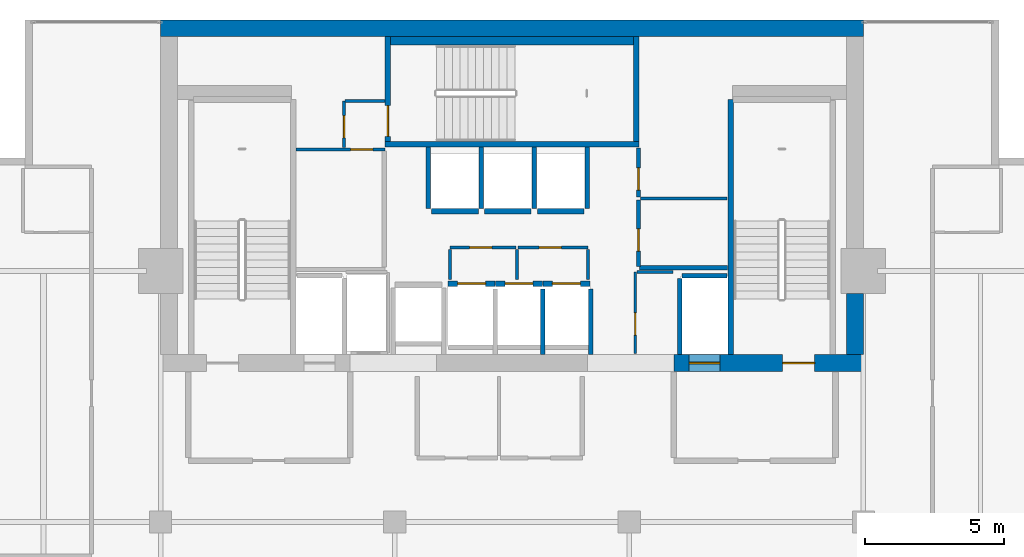
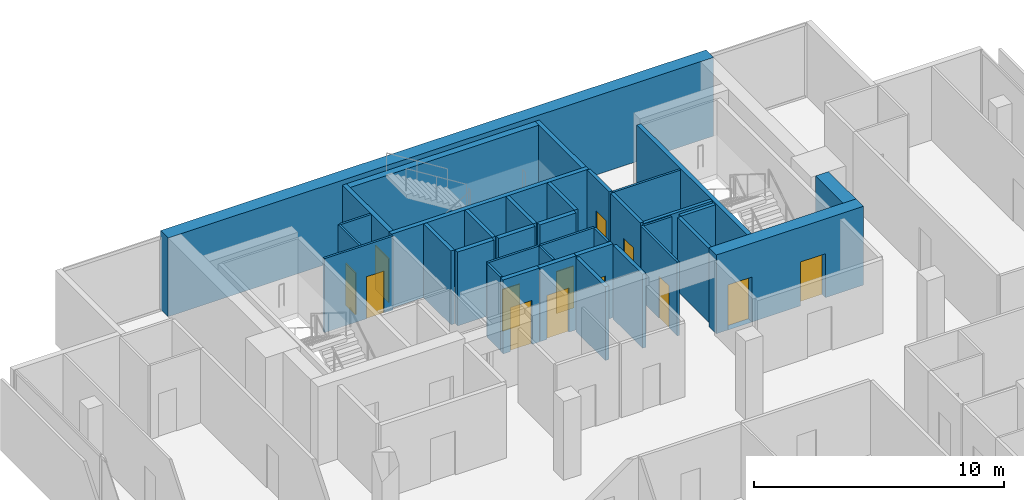
# One storey, part 22 of 25: 36 walls, 13 doors, 13 openings.
"""IFC4 building model written with IfcOpenShell, lengths in metres."""

from ifc_helpers import new_model, si_unit, direction, frame, frame_2d, origin, place, context, subcontext, project, spatial, rectangle, extrude, material, layer, layer_set, type_object, element, fill, save


model = new_model("IFC4")

# Units and contexts
model_context = context("Model", 3, precision=1e-05, world=origin(), true_north=direction((0.0, 1.0)))
body_context = subcontext(model_context, "Body", "Model", "MODEL_VIEW")
ifc_project = project(units=[si_unit("LENGTHUNIT", "METRE"), si_unit("AREAUNIT", "SQUARE_METRE"), si_unit("VOLUMEUNIT", "CUBIC_METRE"), si_unit("PLANEANGLEUNIT", "RADIAN"), si_unit("MASSUNIT", "GRAM", prefix="KILO")], contexts=[model_context])

# Site, building, storey
site_placement = place(None, origin())
site = spatial("IfcSite", under=ifc_project, at=site_placement, CompositionType="ELEMENT")
building_placement = place(site_placement, origin())
building = spatial("IfcBuilding", under=site, at=building_placement, Name="Maruvema Waterfront Hotel and Observation Tower", CompositionType="ELEMENT")
storey_placement = place(building_placement, frame((0.0, 0.0, 277.89990234375)))
storey = spatial("IfcBuildingStorey", under=building, at=storey_placement, Name="L68", CompositionType="ELEMENT", Elevation=277.89990234375)

# Wall, opening, door
ifc_material_1 = material(Name="Twin-stud acoustic gypsum drywall", Category="gypsum")
ifc_layer_1 = layer(ifc_material_1, 0.14990234375, Name="Acoustic Corridor and Suite Demising Wall 150 mm")
ifc_layer_set_1 = layer_set([ifc_layer_1], Name="Twin-stud acoustic gypsum drywall")
wall_type_1 = type_object("IfcWallType", Name="Acoustic Corridor and Suite Demising Wall 150 mm", PredefinedType="PARTITIONING", material=ifc_layer_set_1)
wall_1_placement = place(storey_placement, frame((42.340087890625, 45.159912109375, 0.0), z_axis=(0.0, 0.0, 1.0), x_axis=(0.0, 1.0, 0.0)))
wall_1 = element("IfcWall", 1, at=wall_1_placement, inside=storey, type_object=wall_type_1, Name="L68 Freed B2 West S 022", PredefinedType="PARTITIONING", context=body_context, shape_type="SweptSolid", body=[
    extrude(rectangle(XDim=2.380126953125, YDim=0.14990234375, at=frame_2d((1.18994140625, 0.0))), origin(), (0.0, 0.0, 1.0), 3.610107421875),
])
opening_1_placement = place(wall_1_placement, frame((0.550048828125, 0.0, 0.0)))
opening_1 = element("IfcOpeningElement", 2, at=opening_1_placement, cuts=wall_1, Name="Opening DR-080", PredefinedType="OPENING", context=body_context, shape_type="SweptSolid", body=[
    extrude(rectangle(XDim=0.800048828125, YDim=2.050048828125, at=frame_2d((0.39990234375, 1.02490234375))), frame((0.0, 0.0849609375, 0.0), z_axis=(0.0, -1.0, 0.0), x_axis=(1.0, 0.0, 0.0)), (0.0, 0.0, 1.0), 0.169921875),
])
ifc_material_2 = material(Name="Powder-coated steel access leaf", Category="steel")
door_type_1 = type_object("IfcDoorType", Name="Riser and Service Cupboard Door 800x2050 mm", OperationType="NOTDEFINED", PredefinedType="DOOR", material=ifc_material_2)
door_1_placement = place(opening_1_placement, frame((0.800048828125, 0.0, 0.0), z_axis=(0.0, 0.0, 1.0), x_axis=(-1.0, 0.0, 0.0)))
door_1 = element("IfcDoor", 3, at=door_1_placement, inside=storey, type_object=door_type_1, Name="L68 Butler Service Pantry Door", OperationType="SINGLE_SWING_LEFT", OverallHeight=2.050048828125, OverallWidth=0.800048828125, PredefinedType="DOOR", context=body_context, shape_type="SweptSolid", body=[
    extrude(rectangle(XDim=0.800048828125, YDim=2.050048828125, at=frame_2d((0.39990234375, 1.02490234375))), frame((0.0, 0.02490234375, 0.0), z_axis=(0.0, -1.0, 0.0), x_axis=(1.0, 0.0, 0.0)), (0.0, 0.0, 1.0), 0.050048828125),
])
fill(opening_1, door_1)

wall_2_placement = place(storey_placement, frame((42.340087890625, 47.659912109375, 0.0), z_axis=(0.0, 0.0, 1.0), x_axis=(0.0, 1.0, 0.0)))
wall_2 = element("IfcWall", 4, at=wall_2_placement, inside=storey, type_object=wall_type_1, Name="L68 Freed B2 West N 023", PredefinedType="PARTITIONING", context=body_context, shape_type="SweptSolid", body=[
    extrude(rectangle(XDim=1.760009765625, YDim=0.14990234375, at=frame_2d((0.8798828125, 0.0))), origin(), (0.0, 0.0, 1.0), 3.610107421875),
])
opening_2_placement = place(wall_2_placement, frame((0.239990234375, 0.0, 0.0)))
opening_2 = element("IfcOpeningElement", 5, at=opening_2_placement, cuts=wall_2, Name="Opening DR-080", PredefinedType="OPENING", context=body_context, shape_type="SweptSolid", body=[
    extrude(rectangle(XDim=0.800048828125, YDim=2.050048828125, at=frame_2d((0.39990234375, 1.02490234375))), frame((0.0, 0.0849609375, 0.0), z_axis=(0.0, -1.0, 0.0), x_axis=(1.0, 0.0, 0.0)), (0.0, 0.0, 1.0), 0.169921875),
])
door_2_placement = place(opening_2_placement, frame((0.800048828125, 0.0, 0.0), z_axis=(0.0, 0.0, 1.0), x_axis=(-1.0, 0.0, 0.0)))
door_2 = element("IfcDoor", 6, at=door_2_placement, inside=storey, type_object=door_type_1, Name="L68 Core IT and Linen Store Door", OperationType="SINGLE_SWING_RIGHT", OverallHeight=2.050048828125, OverallWidth=0.800048828125, PredefinedType="DOOR", context=body_context, shape_type="SweptSolid", body=[
    extrude(rectangle(XDim=0.800048828125, YDim=2.050048828125, at=frame_2d((0.39990234375, 1.02490234375))), frame((0.0, 0.02490234375, 0.0), z_axis=(0.0, -1.0, 0.0), x_axis=(1.0, 0.0, 0.0)), (0.0, 0.0, 1.0), 0.050048828125),
])
fill(opening_2, door_2)

# Walls
wall_3_placement = place(storey_placement, frame((42.3798828125, 45.1201171875, 0.0), z_axis=(0.0, 0.0, 1.0), x_axis=(1.0, 0.0, 0.0)))
element("IfcWall", 7, at=wall_3_placement, inside=storey, type_object=wall_type_1, Name="L68 Freed B2 South Wall 025", PredefinedType="PARTITIONING", context=body_context, shape_type="SweptSolid", body=[
    extrude(rectangle(XDim=3.14013671875, YDim=0.14990234375, at=frame_2d((1.570068359375, 0.0))), origin(), (0.0, 0.0, 1.0), 3.610107421875),
])
ifc_material_3 = material(Name="Precast concrete C45/55", Category="concrete")
ifc_layer_2 = layer(ifc_material_3, 0.300048828125, Name="Core Shaft Furring Wall 300 mm")
ifc_layer_set_2 = layer_set([ifc_layer_2], Name="Precast concrete C45/55")
wall_type_2 = type_object("IfcWallType", Name="Core Shaft Furring Wall 300 mm", PredefinedType="SOLIDWALL", material=ifc_layer_set_2)
wall_4_placement = place(storey_placement, frame((33.449951171875, 53.25, 0.0), z_axis=(0.0, 0.0, 1.0), x_axis=(1.0, 0.0, 0.0)))
element("IfcWall", 8, at=wall_4_placement, inside=storey, type_object=wall_type_2, Name="L68 Stairwell ST-02 North Furring Wall", PredefinedType="SOLIDWALL", context=body_context, shape_type="SweptSolid", body=[
    extrude(rectangle(XDim=8.699951171875, YDim=0.300048828125, at=frame_2d((4.35009765625, 0.0))), origin(), (0.0, 0.0, 1.0), 3.610107421875),
])
ifc_material_4 = material(Name="Precast concrete C45/55", Category="concrete")
ifc_layer_3 = layer(ifc_material_4, 0.199951171875, Name="Core Shaft and Stairwell Enclosure Wall 200 mm")
ifc_layer_set_3 = layer_set([ifc_layer_3], Name="Precast concrete C45/55")
wall_type_3 = type_object("IfcWallType", Name="Core Shaft and Stairwell Enclosure Wall 200 mm", PredefinedType="SOLIDWALL", material=ifc_layer_set_3)
wall_5_placement = place(storey_placement, frame((33.25, 49.550048828125, 0.0), z_axis=(0.0, 0.0, 1.0), x_axis=(1.0, 0.0, 0.0)))
element("IfcWall", 9, at=wall_5_placement, inside=storey, type_object=wall_type_3, Name="L68 Stairwell ST-02 Shaft Wall", PredefinedType="SOLIDWALL", context=body_context, shape_type="SweptSolid", body=[
    extrude(rectangle(XDim=9.10009765625, YDim=0.199951171875, at=frame_2d((4.550048828125, 0.0))), origin(), (0.0, 0.0, 1.0), 3.610107421875),
])
wall_6_placement = place(storey_placement, frame((42.25, 49.64990234375, 0.0), z_axis=(0.0, 0.0, 1.0), x_axis=(0.0, 1.0, 0.0)))
element("IfcWall", 10, at=wall_6_placement, inside=storey, type_object=wall_type_3, Name="L68 Stairwell ST-02 Shaft Wall", PredefinedType="SOLIDWALL", context=body_context, shape_type="SweptSolid", body=[
    extrude(rectangle(XDim=3.75, YDim=0.199951171875, at=frame_2d((1.875, 0.0))), origin(), (0.0, 0.0, 1.0), 3.610107421875),
])

# Wall, opening, door
wall_7_placement = place(storey_placement, frame((33.35009765625, 49.64990234375, 0.0), z_axis=(0.0, 0.0, 1.0), x_axis=(0.0, 1.0, 0.0)))
wall_7 = element("IfcWall", 11, at=wall_7_placement, inside=storey, type_object=wall_type_3, Name="L68 Stairwell ST-02 Shaft Wall", PredefinedType="SOLIDWALL", context=body_context, shape_type="SweptSolid", body=[
    extrude(rectangle(XDim=3.75, YDim=0.199951171875, at=frame_2d((1.875, 0.0))), origin(), (0.0, 0.0, 1.0), 3.610107421875),
])
opening_3_placement = place(wall_7_placement, frame((0.179931640625, 0.0, 0.0)))
opening_3 = element("IfcOpeningElement", 12, at=opening_3_placement, cuts=wall_7, Name="Opening SD-02", PredefinedType="OPENING", context=body_context, shape_type="SweptSolid", body=[
    extrude(rectangle(XDim=1.10009765625, YDim=2.14990234375, at=frame_2d((0.550048828125, 1.074951171875))), frame((0.0, 0.10986328125, 0.0), z_axis=(0.0, -1.0, 0.0), x_axis=(1.0, 0.0, 0.0)), (0.0, 0.0, 1.0), 0.219970703125),
])
ifc_material_5 = material(Name="Fire-rated galvanised steel leaf", Category="steel")
door_type_2 = type_object("IfcDoorType", Name="Central Exit Stair Fire Door 1100x2150 mm", OperationType="NOTDEFINED", PredefinedType="DOOR", material=ifc_material_5)
door_3_placement = place(opening_3_placement, frame((1.10009765625, 0.0, 0.0), z_axis=(0.0, 0.0, 1.0), x_axis=(-1.0, 0.0, 0.0)))
door_3 = element("IfcDoor", 13, at=door_3_placement, inside=storey, type_object=door_type_2, Name="L68 Exit Stair ST-02 Fire Door", OperationType="SINGLE_SWING_LEFT", OverallHeight=2.14990234375, OverallWidth=1.10009765625, PredefinedType="DOOR", context=body_context, shape_type="SweptSolid", body=[
    extrude(rectangle(XDim=1.10009765625, YDim=2.14990234375, at=frame_2d((0.550048828125, 1.074951171875))), frame((0.0, 0.02490234375, 0.0), z_axis=(0.0, -1.0, 0.0), x_axis=(1.0, 0.0, 0.0)), (0.0, 0.0, 1.0), 0.050048828125),
])
fill(opening_3, door_3)

# Wall
wall_8_placement = place(storey_placement, frame((45.64990234375, 42.0, 0.0), z_axis=(0.0, 0.0, 1.0), x_axis=(0.0, 1.0, 0.0)))
element("IfcWall", 14, at=wall_8_placement, inside=storey, type_object=wall_type_3, Name="L68 Stairwell ST-03 West Shaft Wall", PredefinedType="SOLIDWALL", context=body_context, shape_type="SweptSolid", body=[
    extrude(rectangle(XDim=9.14990234375, YDim=0.199951171875, at=frame_2d((4.574951171875, 0.0))), origin(), (0.0, 0.0, 1.0), 3.610107421875),
])

# Wall, opening, door
wall_9_placement = place(storey_placement, frame((35.510009765625, 44.550048828125, 0.0), z_axis=(0.0, 0.0, 1.0), x_axis=(1.0, 0.0, 0.0)))
wall_9 = element("IfcWall", 15, at=wall_9_placement, inside=storey, type_object=wall_type_3, Name="L68 Lift LF-09 Hoistway Front Wall", PredefinedType="SOLIDWALL", context=body_context, shape_type="SweptSolid", body=[
    extrude(rectangle(XDim=1.679931640625, YDim=0.199951171875, at=frame_2d((0.83984375, 0.0))), origin(), (0.0, 0.0, 1.0), 3.610107421875),
])
opening_4_placement = place(wall_9_placement, frame((0.340087890625, 0.0, 0.0)))
opening_4 = element("IfcOpeningElement", 16, at=opening_4_placement, cuts=wall_9, Name="Opening LD-01", PredefinedType="OPENING", context=body_context, shape_type="SweptSolid", body=[
    extrude(rectangle(XDim=1.0, YDim=2.14990234375, at=frame_2d((0.5, 1.074951171875))), frame((0.0, 0.10986328125, 0.0), z_axis=(0.0, -1.0, 0.0), x_axis=(1.0, 0.0, 0.0)), (0.0, 0.0, 1.0), 0.219970703125),
])
ifc_material_6 = material(Name="Brushed stainless steel Grade 316", Category="steel")
door_type_3 = type_object("IfcDoorType", Name="Passenger Lift Sliding Landing Door 1000x2150 mm", OperationType="SLIDING_TO_LEFT", PredefinedType="DOOR", material=ifc_material_6)
door_4_placement = place(opening_4_placement, origin())
door_4 = element("IfcDoor", 17, at=door_4_placement, inside=storey, type_object=door_type_3, Name="L68 Lift LF-09 Sliding Landing Door", OperationType="SLIDING_TO_LEFT", OverallHeight=2.14990234375, OverallWidth=1.0, PredefinedType="DOOR", context=body_context, shape_type="SweptSolid", body=[
    extrude(rectangle(XDim=1.0, YDim=2.14990234375, at=frame_2d((0.5, 1.074951171875))), frame((0.0, 0.02490234375, 0.0), z_axis=(0.0, -1.0, 0.0), x_axis=(1.0, 0.0, 0.0)), (0.0, 0.0, 1.0), 0.050048828125),
])
fill(opening_4, door_4)

wall_10_placement = place(storey_placement, frame((37.2099609375, 44.550048828125, 0.0), z_axis=(0.0, 0.0, 1.0), x_axis=(1.0, 0.0, 0.0)))
wall_10 = element("IfcWall", 18, at=wall_10_placement, inside=storey, type_object=wall_type_3, Name="L68 Lift LF-10 Hoistway Front Wall", PredefinedType="SOLIDWALL", context=body_context, shape_type="SweptSolid", body=[
    extrude(rectangle(XDim=1.679931640625, YDim=0.199951171875, at=frame_2d((0.83984375, 0.0))), origin(), (0.0, 0.0, 1.0), 3.610107421875),
])
opening_5_placement = place(wall_10_placement, frame((0.340087890625, 0.0, 0.0)))
opening_5 = element("IfcOpeningElement", 19, at=opening_5_placement, cuts=wall_10, Name="Opening LD-01", PredefinedType="OPENING", context=body_context, shape_type="SweptSolid", body=[
    extrude(rectangle(XDim=1.0, YDim=2.14990234375, at=frame_2d((0.5, 1.074951171875))), frame((0.0, 0.10986328125, 0.0), z_axis=(0.0, -1.0, 0.0), x_axis=(1.0, 0.0, 0.0)), (0.0, 0.0, 1.0), 0.219970703125),
])
door_5_placement = place(opening_5_placement, origin())
door_5 = element("IfcDoor", 20, at=door_5_placement, inside=storey, type_object=door_type_3, Name="L68 Lift LF-10 Sliding Landing Door", OperationType="SLIDING_TO_LEFT", OverallHeight=2.14990234375, OverallWidth=1.0, PredefinedType="DOOR", context=body_context, shape_type="SweptSolid", body=[
    extrude(rectangle(XDim=1.0, YDim=2.14990234375, at=frame_2d((0.5, 1.074951171875))), frame((0.0, 0.02490234375, 0.0), z_axis=(0.0, -1.0, 0.0), x_axis=(1.0, 0.0, 0.0)), (0.0, 0.0, 1.0), 0.050048828125),
])
fill(opening_5, door_5)

wall_11_placement = place(storey_placement, frame((38.909912109375, 44.550048828125, 0.0), z_axis=(0.0, 0.0, 1.0), x_axis=(1.0, 0.0, 0.0)))
wall_11 = element("IfcWall", 21, at=wall_11_placement, inside=storey, type_object=wall_type_3, Name="L68 Lift LF-11 Hoistway Front Wall", PredefinedType="SOLIDWALL", context=body_context, shape_type="SweptSolid", body=[
    extrude(rectangle(XDim=1.68017578125, YDim=0.199951171875, at=frame_2d((0.840087890625, 0.0))), origin(), (0.0, 0.0, 1.0), 3.610107421875),
])
opening_6_placement = place(wall_11_placement, frame((0.340087890625, 0.0, 0.0)))
opening_6 = element("IfcOpeningElement", 22, at=opening_6_placement, cuts=wall_11, Name="Opening LD-01", PredefinedType="OPENING", context=body_context, shape_type="SweptSolid", body=[
    extrude(rectangle(XDim=1.0, YDim=2.14990234375, at=frame_2d((0.5, 1.074951171875))), frame((0.0, 0.10986328125, 0.0), z_axis=(0.0, -1.0, 0.0), x_axis=(1.0, 0.0, 0.0)), (0.0, 0.0, 1.0), 0.219970703125),
])
door_6_placement = place(opening_6_placement, origin())
door_6 = element("IfcDoor", 23, at=door_6_placement, inside=storey, type_object=door_type_3, Name="L68 Lift LF-11 Sliding Landing Door", OperationType="SLIDING_TO_LEFT", OverallHeight=2.14990234375, OverallWidth=1.0, PredefinedType="DOOR", context=body_context, shape_type="SweptSolid", body=[
    extrude(rectangle(XDim=1.0, YDim=2.14990234375, at=frame_2d((0.5, 1.074951171875))), frame((0.0, 0.02490234375, 0.0), z_axis=(0.0, -1.0, 0.0), x_axis=(1.0, 0.0, 0.0)), (0.0, 0.0, 1.0), 0.050048828125),
])
fill(opening_6, door_6)

# Walls
wall_12_placement = place(storey_placement, frame((34.909912109375, 47.14990234375, 0.0), z_axis=(0.0, 0.0, 1.0), x_axis=(1.0, 0.0, 0.0)))
element("IfcWall", 24, at=wall_12_placement, inside=storey, type_object=wall_type_3, Name="L68 Lift LF-12 Hoistway Front Wall", PredefinedType="SOLIDWALL", context=body_context, shape_type="SweptSolid", body=[
    extrude(rectangle(XDim=1.68017578125, YDim=0.199951171875, at=frame_2d((0.840087890625, 0.0))), origin(), (0.0, 0.0, 1.0), 3.610107421875),
])
for number, where, z_axis, x_axis, name in (
    (25, (36.81005859375, 47.14990234375, 0.0), (0.0, 0.0, 1.0), (1.0, 0.0, 0.0), "L68 Lift LF-13 Hoistway Front Wall"),
    (26, (38.7099609375, 47.14990234375, 0.0), (0.0, 0.0, 1.0), (1.0, 0.0, 0.0), "L68 Lift LF-14 Hoistway Front Wall"),
):
    element("IfcWall", number, at=place(storey_placement, frame(where, z_axis=z_axis, x_axis=x_axis)), inside=storey, type_object=wall_type_3, Name=name, PredefinedType="SOLIDWALL", context=body_context, shape_type="SweptSolid", body=[
        extrude(rectangle(XDim=1.679931640625, YDim=0.199951171875, at=frame_2d((0.83984375, 0.0))), origin(), (0.0, 0.0, 1.0), 3.610107421875),
    ])
ifc_material_7 = material(Name="Concrete C60/75", Category="concrete")
ifc_layer_4 = layer(ifc_material_7, 0.60009765625, Name="Core Shear Wall 600 mm")
ifc_layer_set_4 = layer_set([ifc_layer_4], Name="Concrete C60/75")
wall_type_4 = type_object("IfcWallType", Name="Core Shear Wall 600 mm", PredefinedType="SHEAR", material=ifc_layer_set_4)
wall_13_placement = place(storey_placement, frame((25.199951171875, 53.699951171875, 0.0), z_axis=(0.0, 0.0, 1.0), x_axis=(1.0, 0.0, 0.0)))
element("IfcWall", 27, at=wall_13_placement, inside=storey, type_object=wall_type_4, Name="L68 North Core Shear Wall", PredefinedType="SHEAR", context=body_context, shape_type="SweptSolid", body=[
    extrude(rectangle(XDim=25.199951171875, YDim=0.60009765625, at=frame_2d((12.60009765625, 0.0))), origin(), (0.0, 0.0, 1.0), 3.85009765625),
])

# Wall, openings, doors
wall_14_placement = place(storey_placement, frame((43.60009765625, 41.699951171875, 0.0), z_axis=(0.0, 0.0, 1.0), x_axis=(1.0, 0.0, 0.0)))
wall_14 = element("IfcWall", 28, at=wall_14_placement, inside=storey, type_object=wall_type_4, Name="L68 South-East Core Shear Wall", PredefinedType="SHEAR", context=body_context, shape_type="SweptSolid", body=[
    extrude(rectangle(XDim=6.7998046875, YDim=0.60009765625, at=frame_2d((3.39990234375, 0.0))), origin(), (0.0, 0.0, 1.0), 3.85009765625),
])
opening_7_placement = place(wall_14_placement, frame((3.89990234375, 0.0, 0.0)))
opening_7 = element("IfcOpeningElement", 29, at=opening_7_placement, cuts=wall_14, Name="Opening SD-01", PredefinedType="OPENING", context=body_context, shape_type="SweptSolid", body=[
    extrude(rectangle(XDim=1.14990234375, YDim=2.14990234375, at=frame_2d((0.574951171875, 1.074951171875))), frame((0.0, 0.31005859375, 0.0), z_axis=(0.0, -1.0, 0.0), x_axis=(1.0, 0.0, 0.0)), (0.0, 0.0, 1.0), 0.6201171875),
])
opening_8_placement = place(wall_14_placement, frame((0.550048828125, 0.0, 0.0)))
opening_8 = element("IfcOpeningElement", 30, at=opening_8_placement, cuts=wall_14, Name="Opening LD-03", PredefinedType="OPENING", context=body_context, shape_type="SweptSolid", body=[
    extrude(rectangle(XDim=1.10009765625, YDim=2.199951171875, at=frame_2d((0.550048828125, 1.10009765625))), frame((0.0, 0.31005859375, 0.0), z_axis=(0.0, -1.0, 0.0), x_axis=(1.0, 0.0, 0.0)), (0.0, 0.0, 1.0), 0.6201171875),
])
ifc_material_8 = material(Name="Fire-rated galvanised steel leaf", Category="steel")
door_type_4 = type_object("IfcDoorType", Name="Exit Stair Fire Door 1150x2150 mm", OperationType="NOTDEFINED", PredefinedType="DOOR", material=ifc_material_8)
door_7_placement = place(opening_7_placement, origin())
door_7 = element("IfcDoor", 31, at=door_7_placement, inside=storey, type_object=door_type_4, Name="L68 Exit Stair ST-03 Fire Door", OperationType="SINGLE_SWING_RIGHT", OverallHeight=2.14990234375, OverallWidth=1.14990234375, PredefinedType="DOOR", context=body_context, shape_type="SweptSolid", body=[
    extrude(rectangle(XDim=1.14990234375, YDim=2.14990234375, at=frame_2d((0.574951171875, 1.074951171875))), frame((0.0, 0.02490234375, 0.0), z_axis=(0.0, -1.0, 0.0), x_axis=(1.0, 0.0, 0.0)), (0.0, 0.0, 1.0), 0.050048828125),
])
fill(opening_7, door_7)
ifc_material_9 = material(Name="Brushed stainless steel Grade 316", Category="steel")
door_type_5 = type_object("IfcDoorType", Name="Firefighting Lift Sliding Landing Door 1100x2200 mm", OperationType="SLIDING_TO_LEFT", PredefinedType="DOOR", material=ifc_material_9)
door_8_placement = place(opening_8_placement, frame((1.10009765625, 0.0, 0.0), z_axis=(0.0, 0.0, 1.0), x_axis=(-1.0, 0.0, 0.0)))
door_8 = element("IfcDoor", 32, at=door_8_placement, inside=storey, type_object=door_type_5, Name="L68 Firefighting Lift FL-02 Landing Door", OperationType="SLIDING_TO_LEFT", OverallHeight=2.199951171875, OverallWidth=1.10009765625, PredefinedType="DOOR", context=body_context, shape_type="SweptSolid", body=[
    extrude(rectangle(XDim=1.10009765625, YDim=2.199951171875, at=frame_2d((0.550048828125, 1.10009765625))), frame((0.0, 0.02490234375, 0.0), z_axis=(0.0, -1.0, 0.0), x_axis=(1.0, 0.0, 0.0)), (0.0, 0.0, 1.0), 0.050048828125),
])
fill(opening_8, door_8)

# Wall
wall_15_placement = place(storey_placement, frame((50.10009765625, 42.0, 0.0), z_axis=(0.0, 0.0, 1.0), x_axis=(0.0, 1.0, 0.0)))
element("IfcWall", 33, at=wall_15_placement, inside=storey, type_object=wall_type_4, Name="L68 East-South Core Shear Wall", PredefinedType="SHEAR", context=body_context, shape_type="SweptSolid", body=[
    extrude(rectangle(XDim=2.199951171875, YDim=0.60009765625, at=frame_2d((1.10009765625, 0.0))), origin(), (0.0, 0.0, 1.0), 3.85009765625),
])

# Wall, opening, door
ifc_material_10 = material(Name="Moisture-resistant cement-board drywall", Category="gypsum")
ifc_layer_5 = layer(ifc_material_10, 0.10009765625, Name="En-Suite Moisture-Resistant Partition 100 mm")
ifc_layer_set_5 = layer_set([ifc_layer_5], Name="Moisture-resistant cement-board drywall")
wall_type_5 = type_object("IfcWallType", Name="En-Suite Moisture-Resistant Partition 100 mm", PredefinedType="PARTITIONING", material=ifc_layer_set_5)
wall_16_placement = place(storey_placement, frame((35.580078125, 45.840087890625, 0.0), z_axis=(0.0, 0.0, 1.0), x_axis=(1.0, 0.0, 0.0)))
wall_16 = element("IfcWall", 34, at=wall_16_placement, inside=storey, type_object=wall_type_5, Name="L68 Core Closet K2A North 010", PredefinedType="PARTITIONING", context=body_context, shape_type="SweptSolid", body=[
    extrude(rectangle(XDim=2.35986328125, YDim=0.10009765625, at=frame_2d((1.179931640625, 0.0))), origin(), (0.0, 0.0, 1.0), 3.610107421875),
])
opening_9_placement = place(wall_16_placement, frame((0.699951171875, 0.0, 0.0)))
opening_9 = element("IfcOpeningElement", 35, at=opening_9_placement, cuts=wall_16, Name="Opening DR-080", PredefinedType="OPENING", context=body_context, shape_type="SweptSolid", body=[
    extrude(rectangle(XDim=0.800048828125, YDim=2.050048828125, at=frame_2d((0.39990234375, 1.02490234375))), frame((0.0, 0.06005859375, 0.0), z_axis=(0.0, -1.0, 0.0), x_axis=(1.0, 0.0, 0.0)), (0.0, 0.0, 1.0), 0.1201171875),
])
door_9_placement = place(opening_9_placement, origin())
door_9 = element("IfcDoor", 36, at=door_9_placement, inside=storey, type_object=door_type_1, Name="L68 Core IT Closet Door", OperationType="SINGLE_SWING_RIGHT", OverallHeight=2.050048828125, OverallWidth=0.800048828125, PredefinedType="DOOR", context=body_context, shape_type="SweptSolid", body=[
    extrude(rectangle(XDim=0.800048828125, YDim=2.050048828125, at=frame_2d((0.39990234375, 1.02490234375))), frame((0.0, 0.02490234375, 0.0), z_axis=(0.0, -1.0, 0.0), x_axis=(1.0, 0.0, 0.0)), (0.0, 0.0, 1.0), 0.050048828125),
])
fill(opening_9, door_9)

wall_17_placement = place(storey_placement, frame((38.02001953125, 45.840087890625, 0.0), z_axis=(0.0, 0.0, 1.0), x_axis=(1.0, 0.0, 0.0)))
wall_17 = element("IfcWall", 37, at=wall_17_placement, inside=storey, type_object=wall_type_5, Name="L68 Core Closet K2B North 011", PredefinedType="PARTITIONING", context=body_context, shape_type="SweptSolid", body=[
    extrude(rectangle(XDim=2.5, YDim=0.10009765625, at=frame_2d((1.25, 0.0))), origin(), (0.0, 0.0, 1.0), 3.610107421875),
])
opening_10_placement = place(wall_17_placement, frame((0.75, 0.0, 0.0)))
opening_10 = element("IfcOpeningElement", 38, at=opening_10_placement, cuts=wall_17, Name="Opening DR-080", PredefinedType="OPENING", context=body_context, shape_type="SweptSolid", body=[
    extrude(rectangle(XDim=0.800048828125, YDim=2.050048828125, at=frame_2d((0.39990234375, 1.02490234375))), frame((0.0, 0.06005859375, 0.0), z_axis=(0.0, -1.0, 0.0), x_axis=(1.0, 0.0, 0.0)), (0.0, 0.0, 1.0), 0.1201171875),
])
door_10_placement = place(opening_10_placement, origin())
door_10 = element("IfcDoor", 39, at=door_10_placement, inside=storey, type_object=door_type_1, Name="L68 Core Linen Cupboard Door", OperationType="SINGLE_SWING_LEFT", OverallHeight=2.050048828125, OverallWidth=0.800048828125, PredefinedType="DOOR", context=body_context, shape_type="SweptSolid", body=[
    extrude(rectangle(XDim=0.800048828125, YDim=2.050048828125, at=frame_2d((0.39990234375, 1.02490234375))), frame((0.0, 0.02490234375, 0.0), z_axis=(0.0, -1.0, 0.0), x_axis=(1.0, 0.0, 0.0)), (0.0, 0.0, 1.0), 0.050048828125),
])
fill(opening_10, door_10)

# Walls
for number, where, z_axis, x_axis, name in (
    (40, (35.580078125, 44.699951171875, 0.0), (0.0, 0.0, 1.0), (0.0, 1.0, 0.0), "L68 Core Closet K2 West 012"),
    (41, (37.97998046875, 44.699951171875, 0.0), (0.0, 0.0, 1.0), (0.0, 1.0, 0.0), "L68 Core Closet K2 Mid 013"),
    (42, (40.52001953125, 44.699951171875, 0.0), (0.0, 0.0, 1.0), (0.0, 1.0, 0.0), "L68 Core Closet K2 East 014"),
):
    element("IfcWall", number, at=place(storey_placement, frame(where, z_axis=z_axis, x_axis=x_axis)), inside=storey, type_object=wall_type_5, Name=name, PredefinedType="PARTITIONING", context=body_context, shape_type="SweptSolid", body=[
        extrude(rectangle(XDim=1.080078125, YDim=0.10009765625, at=frame_2d((0.5400390625, 0.0))), origin(), (0.0, 0.0, 1.0), 3.610107421875),
    ])

# Wall, opening, door
wall_18_placement = place(storey_placement, frame((42.219970703125, 42.050048828125, 0.0), z_axis=(0.0, 0.0, 1.0), x_axis=(0.0, 1.0, 0.0)))
wall_18 = element("IfcWall", 43, at=wall_18_placement, inside=storey, type_object=wall_type_5, Name="L68 Core Closet K2C West 015", PredefinedType="PARTITIONING", context=body_context, shape_type="SweptSolid", body=[
    extrude(rectangle(XDim=2.909912109375, YDim=0.10009765625, at=frame_2d((1.455078125, 0.0))), origin(), (0.0, 0.0, 1.0), 3.610107421875),
])
opening_11_placement = place(wall_18_placement, frame((0.64990234375, 0.0, 0.0)))
opening_11 = element("IfcOpeningElement", 44, at=opening_11_placement, cuts=wall_18, Name="Opening DR-080", PredefinedType="OPENING", context=body_context, shape_type="SweptSolid", body=[
    extrude(rectangle(XDim=0.800048828125, YDim=2.050048828125, at=frame_2d((0.39990234375, 1.02490234375))), frame((0.0, 0.06005859375, 0.0), z_axis=(0.0, -1.0, 0.0), x_axis=(1.0, 0.0, 0.0)), (0.0, 0.0, 1.0), 0.1201171875),
])
door_11_placement = place(opening_11_placement, frame((0.800048828125, 0.0, 0.0), z_axis=(0.0, 0.0, 1.0), x_axis=(-1.0, 0.0, 0.0)))
door_11 = element("IfcDoor", 45, at=door_11_placement, inside=storey, type_object=door_type_1, Name="L68 Core Housekeeping Closet Door", OperationType="SINGLE_SWING_RIGHT", OverallHeight=2.050048828125, OverallWidth=0.800048828125, PredefinedType="DOOR", context=body_context, shape_type="SweptSolid", body=[
    extrude(rectangle(XDim=0.800048828125, YDim=2.050048828125, at=frame_2d((0.39990234375, 1.02490234375))), frame((0.0, 0.02490234375, 0.0), z_axis=(0.0, -1.0, 0.0), x_axis=(1.0, 0.0, 0.0)), (0.0, 0.0, 1.0), 0.050048828125),
])
fill(opening_11, door_11)

# Wall
wall_19_placement = place(storey_placement, frame((42.280029296875, 44.9599609375, 0.0), z_axis=(0.0, 0.0, 1.0), x_axis=(1.0, 0.0, 0.0)))
element("IfcWall", 46, at=wall_19_placement, inside=storey, type_object=wall_type_5, Name="L68 Core Closet K2C North 016", PredefinedType="PARTITIONING", context=body_context, shape_type="SweptSolid", body=[
    extrude(rectangle(XDim=1.300048828125, YDim=0.10009765625, at=frame_2d((0.64990234375, 0.0))), origin(), (0.0, 0.0, 1.0), 3.610107421875),
])

# Wall, opening, door
wall_20_placement = place(storey_placement, frame((30.06005859375, 49.360107421875, 0.0), z_axis=(0.0, 0.0, 1.0), x_axis=(1.0, 0.0, 0.0)))
wall_20 = element("IfcWall", 47, at=wall_20_placement, inside=storey, type_object=wall_type_5, Name="L68 Freed B1 Mid Wall 019", PredefinedType="PARTITIONING", context=body_context, shape_type="SweptSolid", body=[
    extrude(rectangle(XDim=3.179931640625, YDim=0.10009765625, at=frame_2d((1.58984375, 0.0))), origin(), (0.0, 0.0, 1.0), 3.610107421875),
])
opening_12_placement = place(wall_20_placement, frame((1.949951171875, 0.0, 0.0)))
opening_12 = element("IfcOpeningElement", 48, at=opening_12_placement, cuts=wall_20, Name="Opening DR-080", PredefinedType="OPENING", context=body_context, shape_type="SweptSolid", body=[
    extrude(rectangle(XDim=0.800048828125, YDim=2.050048828125, at=frame_2d((0.39990234375, 1.02490234375))), frame((0.0, 0.06005859375, 0.0), z_axis=(0.0, -1.0, 0.0), x_axis=(1.0, 0.0, 0.0)), (0.0, 0.0, 1.0), 0.1201171875),
])
door_12_placement = place(opening_12_placement, origin())
door_12 = element("IfcDoor", 49, at=door_12_placement, inside=storey, type_object=door_type_1, Name="L68 Housekeeping and Linen Room Door", OperationType="SINGLE_SWING_LEFT", OverallHeight=2.050048828125, OverallWidth=0.800048828125, PredefinedType="DOOR", context=body_context, shape_type="SweptSolid", body=[
    extrude(rectangle(XDim=0.800048828125, YDim=2.050048828125, at=frame_2d((0.39990234375, 1.02490234375))), frame((0.0, 0.02490234375, 0.0), z_axis=(0.0, -1.0, 0.0), x_axis=(1.0, 0.0, 0.0)), (0.0, 0.0, 1.0), 0.050048828125),
])
fill(opening_12, door_12)

wall_21_placement = place(storey_placement, frame((31.780029296875, 49.419921875, 0.0), z_axis=(0.0, 0.0, 1.0), x_axis=(0.0, 1.0, 0.0)))
wall_21 = element("IfcWall", 50, at=wall_21_placement, inside=storey, type_object=wall_type_5, Name="L68 Freed B1 NW East Wall 020", PredefinedType="PARTITIONING", context=body_context, shape_type="SweptSolid", body=[
    extrude(rectangle(XDim=1.68017578125, YDim=0.10009765625, at=frame_2d((0.840087890625, 0.0))), origin(), (0.0, 0.0, 1.0), 3.610107421875),
])
opening_13_placement = place(wall_21_placement, frame((0.35009765625, 0.0, 0.0)))
opening_13 = element("IfcOpeningElement", 51, at=opening_13_placement, cuts=wall_21, Name="Opening DR-080", PredefinedType="OPENING", context=body_context, shape_type="SweptSolid", body=[
    extrude(rectangle(XDim=0.800048828125, YDim=2.050048828125, at=frame_2d((0.39990234375, 1.02490234375))), frame((0.0, 0.06005859375, 0.0), z_axis=(0.0, -1.0, 0.0), x_axis=(1.0, 0.0, 0.0)), (0.0, 0.0, 1.0), 0.1201171875),
])
door_13_placement = place(opening_13_placement, origin())
door_13 = element("IfcDoor", 52, at=door_13_placement, inside=storey, type_object=door_type_1, Name="L68 Guest Floor Pantry Door", OperationType="SINGLE_SWING_RIGHT", OverallHeight=2.050048828125, OverallWidth=0.800048828125, PredefinedType="DOOR", context=body_context, shape_type="SweptSolid", body=[
    extrude(rectangle(XDim=0.800048828125, YDim=2.050048828125, at=frame_2d((0.39990234375, 1.02490234375))), frame((0.0, 0.02490234375, 0.0), z_axis=(0.0, -1.0, 0.0), x_axis=(1.0, 0.0, 0.0)), (0.0, 0.0, 1.0), 0.050048828125),
])
fill(opening_13, door_13)

# Walls
wall_22_placement = place(storey_placement, frame((31.820068359375, 51.10009765625, 0.0), z_axis=(0.0, 0.0, 1.0), x_axis=(1.0, 0.0, 0.0)))
element("IfcWall", 53, at=wall_22_placement, inside=storey, type_object=wall_type_5, Name="L68 Freed B1 Vestibule North Wall 021", PredefinedType="PARTITIONING", context=body_context, shape_type="SweptSolid", body=[
    extrude(rectangle(XDim=1.419921875, YDim=0.10009765625, at=frame_2d((0.7099609375, 0.0))), origin(), (0.0, 0.0, 1.0), 3.610107421875),
])
wall_23_placement = place(storey_placement, frame((42.39990234375, 47.60009765625, 0.0), z_axis=(0.0, 0.0, 1.0), x_axis=(1.0, 0.0, 0.0)))
element("IfcWall", 54, at=wall_23_placement, inside=storey, type_object=wall_type_5, Name="L68 Freed B2 Split 024", PredefinedType="PARTITIONING", context=body_context, shape_type="SweptSolid", body=[
    extrude(rectangle(XDim=3.10009765625, YDim=0.10009765625, at=frame_2d((1.550048828125, 0.0))), origin(), (0.0, 0.0, 1.0), 3.610107421875),
])
ifc_material_11 = material(Name="Precast concrete C45/55", Category="concrete")
ifc_layer_6 = layer(ifc_material_11, 0.159912109375, Name="Lift Hoistway Divider Wall 160 mm")
ifc_layer_set_6 = layer_set([ifc_layer_6], Name="Precast concrete C45/55")
wall_type_6 = type_object("IfcWallType", Name="Lift Hoistway Divider Wall 160 mm", PredefinedType="SOLIDWALL", material=ifc_layer_set_6)
wall_24_placement = place(storey_placement, frame((43.89990234375, 44.830078125, 0.0), z_axis=(0.0, 0.0, 1.0), x_axis=(1.0, 0.0, 0.0)))
element("IfcWall", 55, at=wall_24_placement, inside=storey, type_object=wall_type_6, Name="L68 Lift FL-02 Rear Hoistway Wall", PredefinedType="SOLIDWALL", context=body_context, shape_type="SweptSolid", body=[
    extrude(rectangle(XDim=1.60009765625, YDim=0.159912109375, at=frame_2d((0.800048828125, 0.0))), origin(), (0.0, 0.0, 1.0), 3.610107421875),
])
wall_25_placement = place(storey_placement, frame((43.820068359375, 42.0, 0.0), z_axis=(0.0, 0.0, 1.0), x_axis=(0.0, 1.0, 0.0)))
element("IfcWall", 56, at=wall_25_placement, inside=storey, type_object=wall_type_6, Name="L68 Lift FL-02 Inner Hoistway Wall", PredefinedType="SOLIDWALL", context=body_context, shape_type="SweptSolid", body=[
    extrude(rectangle(XDim=2.739990234375, YDim=0.159912109375, at=frame_2d((1.3701171875, 0.0))), origin(), (0.0, 0.0, 1.0), 3.610107421875),
])
for number, where, z_axis, x_axis, name in (
    (57, (38.89990234375, 42.0, 0.0), (0.0, 0.0, 1.0), (0.0, 1.0, 0.0), "L68 Hoistway Divider Wall"),
    (58, (40.6201171875, 42.0, 0.0), (0.0, 0.0, 1.0), (0.0, 1.0, 0.0), "L68 Hoistway Divider Wall"),
):
    element("IfcWall", number, at=place(storey_placement, frame(where, z_axis=z_axis, x_axis=x_axis)), inside=storey, type_object=wall_type_6, Name=name, PredefinedType="SOLIDWALL", context=body_context, shape_type="SweptSolid", body=[
        extrude(rectangle(XDim=2.35009765625, YDim=0.159912109375, at=frame_2d((1.175048828125, 0.0))), origin(), (0.0, 0.0, 1.0), 3.610107421875),
    ])
for number, where, z_axis, x_axis, name in (
    (59, (34.800048828125, 47.25, 0.0), (0.0, 0.0, 1.0), (0.0, 1.0, 0.0), "L68 Hoistway Divider Wall"),
    (60, (36.699951171875, 47.25, 0.0), (0.0, 0.0, 1.0), (0.0, 1.0, 0.0), "L68 Hoistway Divider Wall"),
    (61, (38.60009765625, 47.25, 0.0), (0.0, 0.0, 1.0), (0.0, 1.0, 0.0), "L68 Hoistway Divider Wall"),
    (62, (40.5, 47.25, 0.0), (0.0, 0.0, 1.0), (0.0, 1.0, 0.0), "L68 Hoistway Divider Wall"),
):
    element("IfcWall", number, at=place(storey_placement, frame(where, z_axis=z_axis, x_axis=x_axis)), inside=storey, type_object=wall_type_6, Name=name, PredefinedType="SOLIDWALL", context=body_context, shape_type="SweptSolid", body=[
        extrude(rectangle(XDim=2.18994140625, YDim=0.159912109375, at=frame_2d((1.094970703125, 0.0))), origin(), (0.0, 0.0, 1.0), 3.610107421875),
    ])

save(model, "model.ifc")
